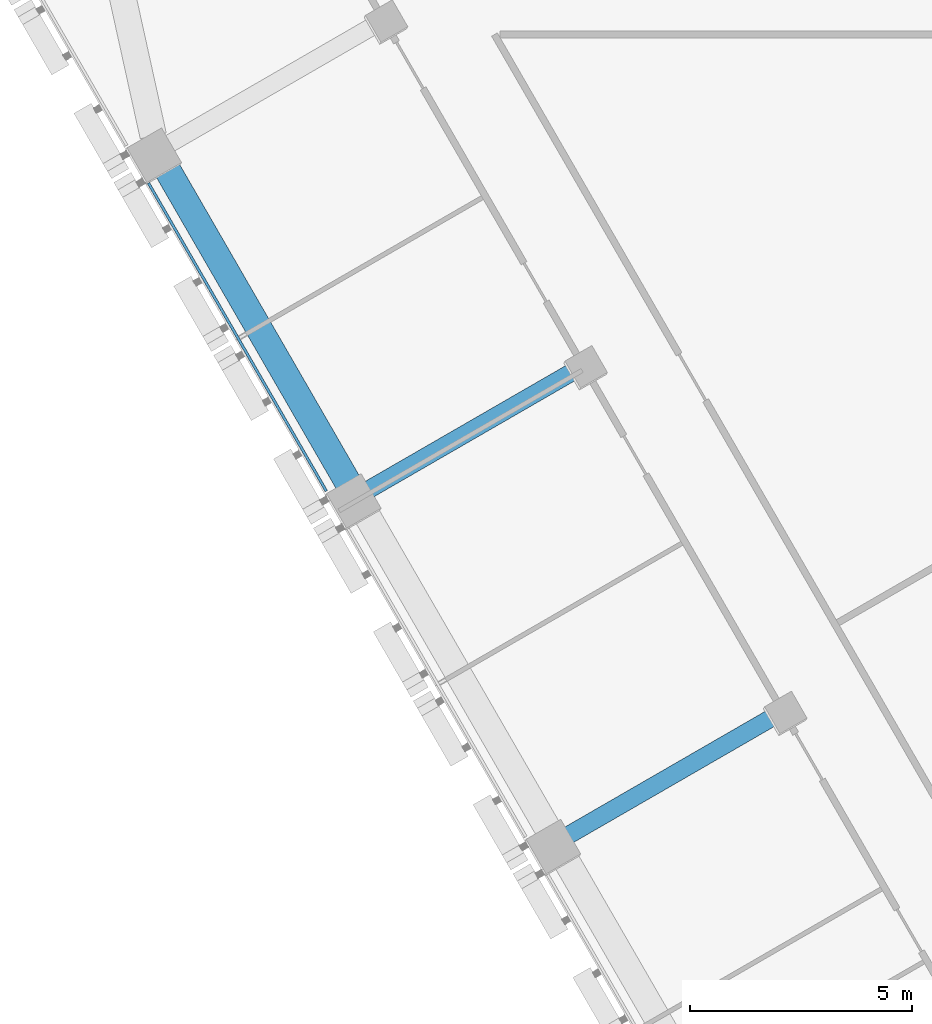
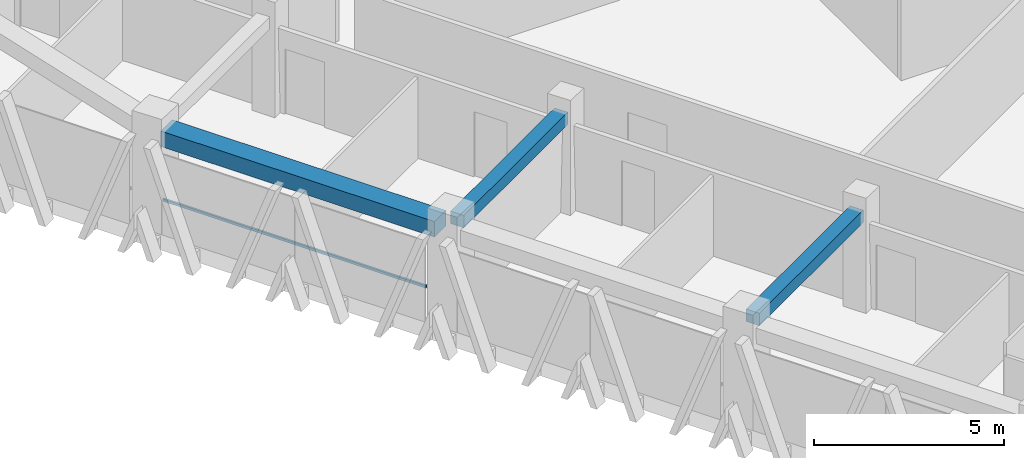
# One storey, part 3 of 16: 3 beams, 1 member, 1 element without a shape of its own.
"""IFC4 building model written with IfcOpenShell, lengths in metres."""

from ifc_helpers import new_model, si_unit, direction, frame, origin, origin_2d, place, context, subcontext, project, spatial, rectangle, extrude, material, layer, layer_set, material_profile, profile_set, type_object, element, aggregate, save


model = new_model("IFC4")

# Units and contexts
model_context = context("Model", 3, precision=1e-05, world=origin(), true_north=direction((0.0, 1.0)))
body_context = subcontext(model_context, "Body", "Model", "MODEL_VIEW")
ifc_project = project(units=[si_unit("LENGTHUNIT", "METRE"), si_unit("AREAUNIT", "SQUARE_METRE"), si_unit("VOLUMEUNIT", "CUBIC_METRE"), si_unit("PLANEANGLEUNIT", "RADIAN"), si_unit("MASSUNIT", "GRAM", prefix="KILO")], contexts=[model_context])

# Site, building, storey
site_placement = place(None, origin())
site = spatial("IfcSite", under=ifc_project, at=site_placement, CompositionType="ELEMENT")
building_placement = place(site_placement, origin())
building = spatial("IfcBuilding", under=site, at=building_placement, Name="Altiplano Prism Tower", CompositionType="ELEMENT")
storey_placement = place(building_placement, frame((0.0, 0.0, 84.60009765625)))
storey = spatial("IfcBuildingStorey", under=building, at=storey_placement, Name="L21", CompositionType="ELEMENT", Elevation=84.60009765625)

# Curtain wall, member
ifc_material_1 = material(Name="Aluminium and glass", Category="aluminium")
ifc_layer = layer(ifc_material_1, 0.280029296875)
ifc_layer_set = layer_set([ifc_layer], Name="Aluminium and glass")
curtain_wall_type = type_object("IfcCurtainWallType", Name="CW1 typical co-living unitised curtain wall", PredefinedType="NOTDEFINED", material=ifc_layer_set)
curtain_wall_placement = place(storey_placement, origin())
curtain_wall = element("IfcCurtainWall", 1, at=curtain_wall_placement, inside=storey, type_object=curtain_wall_type, Name="CW1 curtain wall south-west face L21", PredefinedType="NOTDEFINED")
ifc_material_2 = material(Name="Aluminium", Category="aluminium")
ifc_material_profile_1 = material_profile(ifc_material_2, rectangle(XDim=0.06005859375, YDim=0.080078125, at=origin_2d()), Name="CW1 transom 80 x 60")
ifc_profile_set_1 = profile_set([ifc_material_profile_1], Name="Aluminium")
member_type = type_object("IfcMemberType", Name="CW1 transom 80 x 60", PredefinedType="USERDEFINED", material=ifc_profile_set_1)
member_placement = place(storey_placement, frame((61.629150390625, 87.052734375, 1.099853515625), z_axis=(0.500012318566, -0.86601829154, 0.0), x_axis=(0.86601829154, 0.500012318566, 0.0)))
member = element("IfcMember", 2, at=member_placement, type_object=member_type, Name="CW1 transom", ObjectType="TRANSOM", PredefinedType="USERDEFINED", context=body_context, shape_type="SweptSolid", body=[
    extrude(rectangle(XDim=0.06005859375, YDim=0.080078125, at=origin_2d()), origin(), (0.0, 0.0, 1.0), 8.019775390625),
])
aggregate(curtain_wall, [member])

# Beams
ifc_material_3 = material(Name="Concrete C60/75", Category="concrete")
ifc_material_profile_2 = material_profile(ifc_material_3, rectangle(XDim=0.60009765625, YDim=0.5, at=origin_2d()), Name="Edge beam 600x500")
ifc_profile_set_2 = profile_set([ifc_material_profile_2], Name="Concrete C60/75")
beam_type_1 = type_object("IfcBeamType", Name="Edge beam 600x500", PredefinedType="SPANDREL", material=ifc_profile_set_2)
beam_placement = place(storey_placement, frame((61.97802734375, 87.48583984375, 2.849853515625), z_axis=(0.499992746786, -0.866029591389, 0.0), x_axis=(0.866029591389, 0.499992746786, 0.0)))
element("IfcBeam", 3, at=beam_placement, inside=storey, type_object=beam_type_1, Name="Edge beam P11-P12 L22", PredefinedType="SPANDREL", context=body_context, shape_type="SweptSolid", body=[
    extrude(rectangle(XDim=0.60009765625, YDim=0.5, at=origin_2d()), origin(), (0.0, 0.0, 1.0), 8.33984375),
])
ifc_material_profile_3 = material_profile(ifc_material_3, rectangle(XDim=0.39990234375, YDim=0.39990234375, at=origin_2d()), Name="Tie beam 400x400")
ifc_profile_set_3 = profile_set([ifc_material_profile_3], Name="Concrete C60/75")
beam_type_2 = type_object("IfcBeamType", Name="Tie beam 400x400", PredefinedType="BEAM", material=ifc_profile_set_3)
for number, where, z_axis, x_axis, name in (
    (4, (71.353271484375, 82.887451171875, 2.89990234375), (-0.866012292785, -0.50002270823, 0.0), (0.50002270823, -0.866012292785, 0.0), "Tie beam I12 L22"),
    (5, (75.853271484375, 75.09326171875, 2.89990234375), (-0.866012292785, -0.50002270823, 0.0), (0.50002270823, -0.866012292785, 0.0), "Tie beam I13 L22"),
):
    element("IfcBeam", number, at=place(storey_placement, frame(where, z_axis=z_axis, x_axis=x_axis)), inside=storey, type_object=beam_type_2, Name=name, PredefinedType="BEAM", context=body_context, shape_type="SweptSolid", body=[
        extrude(rectangle(XDim=0.39990234375, YDim=0.39990234375, at=origin_2d()), origin(), (0.0, 0.0, 1.0), 5.489990234375),
    ])

save(model, "model.ifc")
